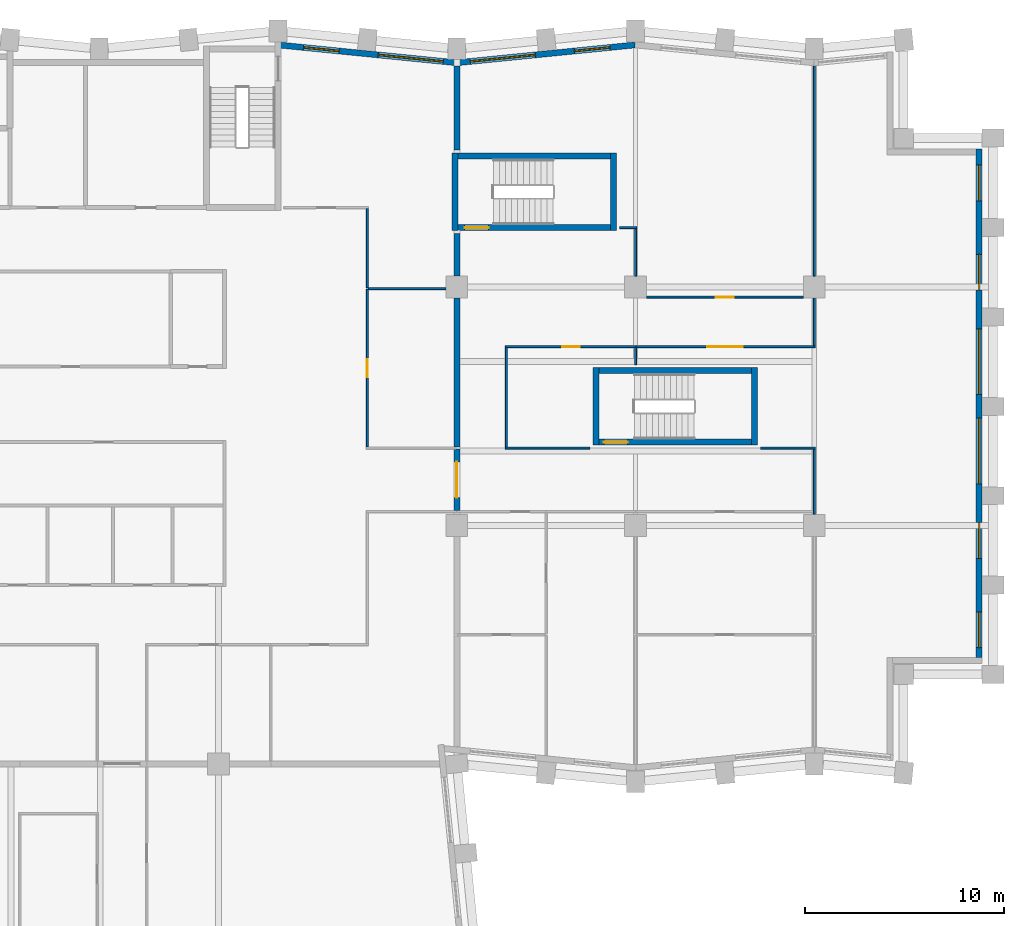
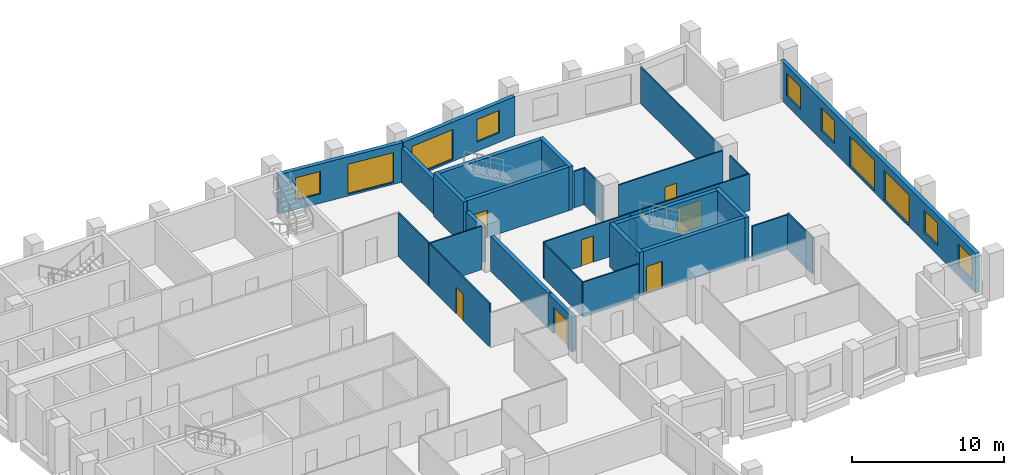
# One storey, part 7 of 10: 30 walls, 10 windows, 7 doors, 17 openings.
"""IFC4 building model written with IfcOpenShell, lengths in metres."""

from ifc_helpers import new_model, si_unit, direction, frame, frame_2d, origin, place, context, subcontext, project, spatial, rectangle, extrude, material, layer, layer_set, type_object, element, fill, save


model = new_model("IFC4")

# Units and contexts
model_context = context("Model", 3, precision=1e-05, world=origin(), true_north=direction((0.0, 1.0)))
body_context = subcontext(model_context, "Body", "Model", "MODEL_VIEW")
ifc_project = project(units=[si_unit("LENGTHUNIT", "METRE"), si_unit("AREAUNIT", "SQUARE_METRE"), si_unit("VOLUMEUNIT", "CUBIC_METRE"), si_unit("PLANEANGLEUNIT", "RADIAN"), si_unit("MASSUNIT", "GRAM", prefix="KILO")], contexts=[model_context])

# Site, building, storey
site_placement = place(None, origin())
site = spatial("IfcSite", under=ifc_project, at=site_placement, CompositionType="ELEMENT")
building_placement = place(site_placement, origin())
building = spatial("IfcBuilding", under=site, at=building_placement, Name="Brondeck Convention Tower", CompositionType="ELEMENT")
storey_placement = place(building_placement, frame((0.0, 0.0, 173.800048828125)))
storey = spatial("IfcBuildingStorey", under=building, at=storey_placement, Name="L42", CompositionType="ELEMENT", Elevation=173.800048828125)

# Wall, opening, door
ifc_material_1 = material(Name="Concrete compartment wall C30/37", Category="concrete")
ifc_layer_1 = layer(ifc_material_1, 0.300048828125)
ifc_layer_set_1 = layer_set([ifc_layer_1], Name="Compartment wall 300")
wall_type_1 = type_object("IfcWallType", Name="Compartment wall 300", PredefinedType="PARTITIONING", material=ifc_layer_set_1)
wall_1_placement = place(storey_placement, frame((36.0, 42.85009765625, 0.0), z_axis=(0.0, 0.0, 1.0), x_axis=(0.0, -1.0, 0.0)))
wall_1 = element("IfcWall", 1, at=wall_1_placement, inside=storey, type_object=wall_type_1, Name="FLR-L42-W052", PredefinedType="PARTITIONING", context=body_context, shape_type="SweptSolid", body=[
    extrude(rectangle(XDim=3.10009765625, YDim=0.300048828125, at=frame_2d((1.550048828125, 0.0))), origin(), (0.0, 0.0, 1.0), 2.780029296875),
])
opening_1_placement = place(wall_1_placement, frame((0.64990234375, 0.0, 0.0)))
opening_1 = element("IfcOpeningElement", 2, at=opening_1_placement, cuts=wall_1, Name="Opening OF-H-021", PredefinedType="OPENING", context=body_context, shape_type="SweptSolid", body=[
    extrude(rectangle(XDim=1.800048828125, YDim=2.10009765625, at=frame_2d((0.89990234375, 1.050048828125))), frame((0.0, 0.159912109375, 0.0), z_axis=(0.0, -1.0, 0.0), x_axis=(1.0, 0.0, 0.0)), (0.0, 0.0, 1.0), 0.320068359375),
])
ifc_material_2 = material(Name="Steel fire door pair", Category="steel")
door_type_1 = type_object("IfcDoorType", Name="Fire door pair 1800", OperationType="DOUBLE_DOOR_SINGLE_SWING", PredefinedType="DOOR", material=ifc_material_2)
door_1_placement = place(opening_1_placement, origin())
door_1 = element("IfcDoor", 3, at=door_1_placement, inside=storey, type_object=door_type_1, Name="Door OF-H-021", OperationType="DOUBLE_DOOR_SINGLE_SWING", OverallHeight=2.10009765625, OverallWidth=1.800048828125, PredefinedType="DOOR", context=body_context, shape_type="SweptSolid", body=[
    extrude(rectangle(XDim=1.800048828125, YDim=2.10009765625, at=frame_2d((0.89990234375, 1.050048828125))), frame((0.0, 0.02490234375, 0.0), z_axis=(0.0, -1.0, 0.0), x_axis=(1.0, 0.0, 0.0)), (0.0, 0.0, 1.0), 0.050048828125),
])
fill(opening_1, door_1)

# Walls
wall_2_placement = place(storey_placement, frame((36.0, 42.949951171875, 0.0), z_axis=(0.0, 0.0, 1.0), x_axis=(0.0, 1.0, 0.0)))
element("IfcWall", 4, at=wall_2_placement, inside=storey, type_object=wall_type_1, Name="FLR-L42-W057", PredefinedType="PARTITIONING", context=body_context, shape_type="SweptSolid", body=[
    extrude(rectangle(XDim=7.4951171875, YDim=0.300048828125, at=frame_2d((3.74755859375, 0.0))), origin(), (0.0, 0.0, 1.0), 2.780029296875),
])
wall_3_placement = place(storey_placement, frame((36.0, 51.554931640625, 0.0), z_axis=(0.0, 0.0, 1.0), x_axis=(0.0, 1.0, 0.0)))
element("IfcWall", 5, at=wall_3_placement, inside=storey, type_object=wall_type_1, Name="FLR-L42-W066", PredefinedType="PARTITIONING", context=body_context, shape_type="SweptSolid", body=[
    extrude(rectangle(XDim=2.14501953125, YDim=0.300048828125, at=frame_2d((1.072509765625, 0.0))), origin(), (0.0, 0.0, 1.0), 2.780029296875),
])
wall_4_placement = place(storey_placement, frame((36.0, 57.89990234375, 0.0), z_axis=(0.0, 0.0, 1.0), x_axis=(0.0, 1.0, 0.0)))
element("IfcWall", 6, at=wall_4_placement, inside=storey, type_object=wall_type_1, Name="FLR-L42-W072", PredefinedType="PARTITIONING", context=body_context, shape_type="SweptSolid", body=[
    extrude(rectangle(XDim=4.22607421875, YDim=0.300048828125, at=frame_2d((2.113037109375, 0.0))), origin(), (0.0, 0.0, 1.0), 2.780029296875),
])

# Wall, openings, windows
ifc_material_3 = material(Name="Precast concrete C50/60 bronze finish", Category="concrete")
ifc_layer_2 = layer(ifc_material_3, 0.070068359375, Name="Bronze precast facing")
ifc_material_4 = material(Name="Mineral wool")
ifc_layer_3 = layer(ifc_material_4, 0.159912109375, Name="Insulation")
ifc_material_5 = material(Name="Concrete C35/45", Category="concrete")
ifc_layer_4 = layer(ifc_material_5, 0.070068359375, Name="Backing")
ifc_layer_set_2 = layer_set([ifc_layer_2, ifc_layer_3, ifc_layer_4], Name="External infill wall, precast concrete C50/60 bronze facing")
wall_type_2 = type_object("IfcWallType", Name="External infill wall, precast concrete C50/60 bronze facing", PredefinedType="SOLIDWALL", material=ifc_layer_set_2)
wall_5_placement = place(storey_placement, frame((62.300048828125, 57.949951171875, 0.0), z_axis=(0.0, 0.0, 1.0), x_axis=(0.0, -1.0, 0.0)))
wall_5 = element("IfcWall", 7, at=wall_5_placement, inside=storey, type_object=wall_type_2, Name="ENV-EW-L42-P1-A-E63-01", PredefinedType="SOLIDWALL", context=body_context, shape_type="SweptSolid", body=[
    extrude(rectangle(XDim=25.60205078125, YDim=0.300048828125, at=frame_2d((12.801025390625, 0.0))), origin(), (0.0, 0.0, 1.0), 3.14990234375),
])
opening_2_placement = place(wall_5_placement, frame((0.800048828125, 0.0, 0.75)))
opening_2 = element("IfcOpeningElement", 8, at=opening_2_placement, cuts=wall_5, Name="Opening W10", PredefinedType="OPENING", context=body_context, shape_type="SweptSolid", body=[
    extrude(rectangle(XDim=1.800048828125, YDim=1.800048828125, at=frame_2d((0.89990234375, 0.89990234375))), frame((0.0, 0.159912109375, 0.0), z_axis=(0.0, -1.0, 0.0), x_axis=(1.0, 0.0, 0.0)), (0.0, 0.0, 1.0), 0.320068359375),
])
opening_3_placement = place(wall_5_placement, frame((5.300048828125, 0.0, 0.75)))
opening_3 = element("IfcOpeningElement", 9, at=opening_3_placement, cuts=wall_5, Name="Opening W10", PredefinedType="OPENING", context=body_context, shape_type="SweptSolid", body=[
    extrude(rectangle(XDim=1.800048828125, YDim=1.800048828125, at=frame_2d((0.89990234375, 0.89990234375))), frame((0.0, 0.159912109375, 0.0), z_axis=(0.0, -1.0, 0.0), x_axis=(1.0, 0.0, 0.0)), (0.0, 0.0, 1.0), 0.320068359375),
])
opening_4_placement = place(wall_5_placement, frame((9.050048828125, 0.0, 0.14990234375)))
opening_4 = element("IfcOpeningElement", 10, at=opening_4_placement, cuts=wall_5, Name="Opening W9", PredefinedType="OPENING", context=body_context, shape_type="SweptSolid", body=[
    extrude(rectangle(XDim=3.300048828125, YDim=2.39990234375, at=frame_2d((1.64990234375, 1.199951171875))), frame((0.0, 0.159912109375, 0.0), z_axis=(0.0, -1.0, 0.0), x_axis=(1.0, 0.0, 0.0)), (0.0, 0.0, 1.0), 0.320068359375),
])
opening_5_placement = place(wall_5_placement, frame((13.550048828125, 0.0, 0.14990234375)))
opening_5 = element("IfcOpeningElement", 11, at=opening_5_placement, cuts=wall_5, Name="Opening W9", PredefinedType="OPENING", context=body_context, shape_type="SweptSolid", body=[
    extrude(rectangle(XDim=3.300048828125, YDim=2.39990234375, at=frame_2d((1.64990234375, 1.199951171875))), frame((0.0, 0.159912109375, 0.0), z_axis=(0.0, -1.0, 0.0), x_axis=(1.0, 0.0, 0.0)), (0.0, 0.0, 1.0), 0.320068359375),
])
opening_6_placement = place(wall_5_placement, frame((18.800048828125, 0.0, 0.75)))
opening_6 = element("IfcOpeningElement", 12, at=opening_6_placement, cuts=wall_5, Name="Opening W10", PredefinedType="OPENING", context=body_context, shape_type="SweptSolid", body=[
    extrude(rectangle(XDim=1.800048828125, YDim=1.800048828125, at=frame_2d((0.89990234375, 0.89990234375))), frame((0.0, 0.159912109375, 0.0), z_axis=(0.0, -1.0, 0.0), x_axis=(1.0, 0.0, 0.0)), (0.0, 0.0, 1.0), 0.320068359375),
])
opening_7_placement = place(wall_5_placement, frame((23.300048828125, 0.0, 0.75)))
opening_7 = element("IfcOpeningElement", 13, at=opening_7_placement, cuts=wall_5, Name="Opening W10", PredefinedType="OPENING", context=body_context, shape_type="SweptSolid", body=[
    extrude(rectangle(XDim=1.800048828125, YDim=1.800048828125, at=frame_2d((0.89990234375, 0.89990234375))), frame((0.0, 0.159912109375, 0.0), z_axis=(0.0, -1.0, 0.0), x_axis=(1.0, 0.0, 0.0)), (0.0, 0.0, 1.0), 0.320068359375),
])
ifc_material_6 = material(Name="Bronze tinted double glazing", Category="glass")
window_type_1 = type_object("IfcWindowType", Name="Glazed flute window, bronze tinted", PartitioningType="SINGLE_PANEL", PredefinedType="WINDOW", material=ifc_material_6)
window_1_placement = place(opening_4_placement, origin())
window_1 = element("IfcWindow", 14, at=window_1_placement, inside=storey, type_object=window_type_1, Name="ENV-WN-L42-P1-A-E63-04", OverallHeight=2.39990234375, OverallWidth=3.300048828125, PartitioningType="SINGLE_PANEL", PredefinedType="WINDOW", context=body_context, shape_type="SweptSolid", body=[
    extrude(rectangle(XDim=3.300048828125, YDim=2.39990234375, at=frame_2d((1.64990234375, 1.199951171875))), frame((0.0, 0.030029296875, 0.0), z_axis=(0.0, -1.0, 0.0), x_axis=(1.0, 0.0, 0.0)), (0.0, 0.0, 1.0), 0.06005859375),
])
fill(opening_4, window_1)
window_2_placement = place(opening_5_placement, origin())
window_2 = element("IfcWindow", 15, at=window_2_placement, inside=storey, type_object=window_type_1, Name="ENV-WN-L42-P1-A-E63-03", OverallHeight=2.39990234375, OverallWidth=3.300048828125, PartitioningType="SINGLE_PANEL", PredefinedType="WINDOW", context=body_context, shape_type="SweptSolid", body=[
    extrude(rectangle(XDim=3.300048828125, YDim=2.39990234375, at=frame_2d((1.64990234375, 1.199951171875))), frame((0.0, 0.030029296875, 0.0), z_axis=(0.0, -1.0, 0.0), x_axis=(1.0, 0.0, 0.0)), (0.0, 0.0, 1.0), 0.06005859375),
])
fill(opening_5, window_2)
window_type_2 = type_object("IfcWindowType", Name="Punched window, bronze tinted", PartitioningType="SINGLE_PANEL", PredefinedType="WINDOW", material=ifc_material_6)
window_3_placement = place(opening_2_placement, origin())
window_3 = element("IfcWindow", 16, at=window_3_placement, inside=storey, type_object=window_type_2, Name="ENV-WN-L42-P1-A-E63-06", OverallHeight=1.800048828125, OverallWidth=1.800048828125, PartitioningType="SINGLE_PANEL", PredefinedType="WINDOW", context=body_context, shape_type="SweptSolid", body=[
    extrude(rectangle(XDim=1.800048828125, YDim=1.800048828125, at=frame_2d((0.89990234375, 0.89990234375))), frame((0.0, 0.030029296875, 0.0), z_axis=(0.0, -1.0, 0.0), x_axis=(1.0, 0.0, 0.0)), (0.0, 0.0, 1.0), 0.06005859375),
])
fill(opening_2, window_3)
window_4_placement = place(opening_3_placement, origin())
window_4 = element("IfcWindow", 17, at=window_4_placement, inside=storey, type_object=window_type_2, Name="ENV-WN-L42-P1-A-E63-05", OverallHeight=1.800048828125, OverallWidth=1.800048828125, PartitioningType="SINGLE_PANEL", PredefinedType="WINDOW", context=body_context, shape_type="SweptSolid", body=[
    extrude(rectangle(XDim=1.800048828125, YDim=1.800048828125, at=frame_2d((0.89990234375, 0.89990234375))), frame((0.0, 0.030029296875, 0.0), z_axis=(0.0, -1.0, 0.0), x_axis=(1.0, 0.0, 0.0)), (0.0, 0.0, 1.0), 0.06005859375),
])
fill(opening_3, window_4)
window_5_placement = place(opening_6_placement, origin())
window_5 = element("IfcWindow", 18, at=window_5_placement, inside=storey, type_object=window_type_2, Name="ENV-WN-L42-P1-A-E63-02", OverallHeight=1.800048828125, OverallWidth=1.800048828125, PartitioningType="SINGLE_PANEL", PredefinedType="WINDOW", context=body_context, shape_type="SweptSolid", body=[
    extrude(rectangle(XDim=1.800048828125, YDim=1.800048828125, at=frame_2d((0.89990234375, 0.89990234375))), frame((0.0, 0.030029296875, 0.0), z_axis=(0.0, -1.0, 0.0), x_axis=(1.0, 0.0, 0.0)), (0.0, 0.0, 1.0), 0.06005859375),
])
fill(opening_6, window_5)
window_6_placement = place(opening_7_placement, origin())
window_6 = element("IfcWindow", 19, at=window_6_placement, inside=storey, type_object=window_type_2, Name="ENV-WN-L42-P1-A-E63-01", OverallHeight=1.800048828125, OverallWidth=1.800048828125, PartitioningType="SINGLE_PANEL", PredefinedType="WINDOW", context=body_context, shape_type="SweptSolid", body=[
    extrude(rectangle(XDim=1.800048828125, YDim=1.800048828125, at=frame_2d((0.89990234375, 0.89990234375))), frame((0.0, 0.030029296875, 0.0), z_axis=(0.0, -1.0, 0.0), x_axis=(1.0, 0.0, 0.0)), (0.0, 0.0, 1.0), 0.06005859375),
])
fill(opening_7, window_6)

wall_6_placement = place(storey_placement, frame((35.985107421875, 62.294921875, 0.0), z_axis=(0.0, 0.0, 1.0), x_axis=(0.995035316196, 0.099522457379, 0.0)))
wall_6 = element("IfcWall", 20, at=wall_6_placement, inside=storey, type_object=wall_type_2, Name="ENV-EW-L42-P1-A-N-09", PredefinedType="SOLIDWALL", context=body_context, shape_type="SweptSolid", body=[
    extrude(rectangle(XDim=9.030029296875, YDim=0.300048828125, at=frame_2d((4.51513671875, 0.0))), origin(), (0.0, 0.0, 1.0), 3.14990234375),
])
opening_8_placement = place(wall_6_placement, frame((0.6962890625, 0.0, 0.14990234375)))
opening_8 = element("IfcOpeningElement", 21, at=opening_8_placement, cuts=wall_6, Name="Opening W9", PredefinedType="OPENING", context=body_context, shape_type="SweptSolid", body=[
    extrude(rectangle(XDim=3.300048828125, YDim=2.39990234375, at=frame_2d((1.64990234375, 1.199951171875))), frame((0.0, 0.159912109375, 0.0), z_axis=(0.0, -1.0, 0.0), x_axis=(1.0, 0.0, 0.0)), (0.0, 0.0, 1.0), 0.320068359375),
])
opening_9_placement = place(wall_6_placement, frame((5.968505859375, 0.0, 0.75)))
opening_9 = element("IfcOpeningElement", 22, at=opening_9_placement, cuts=wall_6, Name="Opening W10", PredefinedType="OPENING", context=body_context, shape_type="SweptSolid", body=[
    extrude(rectangle(XDim=1.800048828125, YDim=1.800048828125, at=frame_2d((0.89990234375, 0.89990234375))), frame((0.0, 0.159912109375, 0.0), z_axis=(0.0, -1.0, 0.0), x_axis=(1.0, 0.0, 0.0)), (0.0, 0.0, 1.0), 0.320068359375),
])
window_7_placement = place(opening_8_placement, origin())
window_7 = element("IfcWindow", 23, at=window_7_placement, inside=storey, type_object=window_type_1, Name="ENV-WN-L42-P1-A-N-08", OverallHeight=2.39990234375, OverallWidth=3.300048828125, PartitioningType="SINGLE_PANEL", PredefinedType="WINDOW", context=body_context, shape_type="SweptSolid", body=[
    extrude(rectangle(XDim=3.300048828125, YDim=2.39990234375, at=frame_2d((1.64990234375, 1.199951171875))), frame((0.0, 0.030029296875, 0.0), z_axis=(0.0, -1.0, 0.0), x_axis=(1.0, 0.0, 0.0)), (0.0, 0.0, 1.0), 0.06005859375),
])
fill(opening_8, window_7)
window_8_placement = place(opening_9_placement, origin())
window_8 = element("IfcWindow", 24, at=window_8_placement, inside=storey, type_object=window_type_2, Name="ENV-WN-L42-P1-A-N-09", OverallHeight=1.800048828125, OverallWidth=1.800048828125, PartitioningType="SINGLE_PANEL", PredefinedType="WINDOW", context=body_context, shape_type="SweptSolid", body=[
    extrude(rectangle(XDim=1.800048828125, YDim=1.800048828125, at=frame_2d((0.89990234375, 0.89990234375))), frame((0.0, 0.030029296875, 0.0), z_axis=(0.0, -1.0, 0.0), x_axis=(1.0, 0.0, 0.0)), (0.0, 0.0, 1.0), 0.06005859375),
])
fill(opening_9, window_8)

wall_7_placement = place(storey_placement, frame((27.07958984375, 63.188720703125, 0.0), z_axis=(0.0, 0.0, 1.0), x_axis=(0.995036108007, -0.099514540459, 0.0)))
wall_7 = element("IfcWall", 25, at=wall_7_placement, inside=storey, type_object=wall_type_2, Name="ENV-EW-L42-P1-A-N-07", PredefinedType="SOLIDWALL", context=body_context, shape_type="SweptSolid", body=[
    extrude(rectangle(XDim=8.93505859375, YDim=0.300048828125, at=frame_2d((4.467529296875, 0.0))), origin(), (0.0, 0.0, 1.0), 3.14990234375),
])
opening_10_placement = place(wall_7_placement, frame((1.211181640625, 0.0, 0.75)))
opening_10 = element("IfcOpeningElement", 26, at=opening_10_placement, cuts=wall_7, Name="Opening W10", PredefinedType="OPENING", context=body_context, shape_type="SweptSolid", body=[
    extrude(rectangle(XDim=1.800048828125, YDim=1.800048828125, at=frame_2d((0.89990234375, 0.89990234375))), frame((0.0, 0.159912109375, 0.0), z_axis=(0.0, -1.0, 0.0), x_axis=(1.0, 0.0, 0.0)), (0.0, 0.0, 1.0), 0.320068359375),
])
opening_11_placement = place(wall_7_placement, frame((4.983642578125, 0.0, 0.14990234375)))
opening_11 = element("IfcOpeningElement", 27, at=opening_11_placement, cuts=wall_7, Name="Opening W9", PredefinedType="OPENING", context=body_context, shape_type="SweptSolid", body=[
    extrude(rectangle(XDim=3.300048828125, YDim=2.39990234375, at=frame_2d((1.64990234375, 1.199951171875))), frame((0.0, 0.159912109375, 0.0), z_axis=(0.0, -1.0, 0.0), x_axis=(1.0, 0.0, 0.0)), (0.0, 0.0, 1.0), 0.320068359375),
])
window_9_placement = place(opening_11_placement, origin())
window_9 = element("IfcWindow", 28, at=window_9_placement, inside=storey, type_object=window_type_1, Name="ENV-WN-L42-P1-A-N-07", OverallHeight=2.39990234375, OverallWidth=3.300048828125, PartitioningType="SINGLE_PANEL", PredefinedType="WINDOW", context=body_context, shape_type="SweptSolid", body=[
    extrude(rectangle(XDim=3.300048828125, YDim=2.39990234375, at=frame_2d((1.64990234375, 1.199951171875))), frame((0.0, 0.030029296875, 0.0), z_axis=(0.0, -1.0, 0.0), x_axis=(1.0, 0.0, 0.0)), (0.0, 0.0, 1.0), 0.06005859375),
])
fill(opening_11, window_9)
window_10_placement = place(opening_10_placement, origin())
window_10 = element("IfcWindow", 29, at=window_10_placement, inside=storey, type_object=window_type_2, Name="ENV-WN-L42-P1-A-N-06", OverallHeight=1.800048828125, OverallWidth=1.800048828125, PartitioningType="SINGLE_PANEL", PredefinedType="WINDOW", context=body_context, shape_type="SweptSolid", body=[
    extrude(rectangle(XDim=1.800048828125, YDim=1.800048828125, at=frame_2d((0.89990234375, 0.89990234375))), frame((0.0, 0.030029296875, 0.0), z_axis=(0.0, -1.0, 0.0), x_axis=(1.0, 0.0, 0.0)), (0.0, 0.0, 1.0), 0.06005859375),
])
fill(opening_10, window_10)

# Walls
ifc_material_7 = material(Name="Gypsum board partition on steel studs", Category="steel")
ifc_layer_5 = layer(ifc_material_7, 0.10009765625)
ifc_layer_set_3 = layer_set([ifc_layer_5], Name="Room partition 100")
wall_type_3 = type_object("IfcWallType", Name="Room partition 100", PredefinedType="PARTITIONING", material=ifc_layer_set_3)
wall_8_placement = place(storey_placement, frame((54.0, 42.85009765625, 0.0), z_axis=(0.0, 0.0, 1.0), x_axis=(0.0, -1.0, 0.0)))
element("IfcWall", 30, at=wall_8_placement, inside=storey, type_object=wall_type_3, Name="FLR-L42-W053", PredefinedType="PARTITIONING", context=body_context, shape_type="SweptSolid", body=[
    extrude(rectangle(XDim=3.280029296875, YDim=0.10009765625, at=frame_2d((1.64013671875, 0.0))), origin(), (0.0, 0.0, 1.0), 2.929931640625),
])
wall_9_placement = place(storey_placement, frame((38.449951171875, 42.89990234375, 0.0), z_axis=(0.0, 0.0, 1.0), x_axis=(1.0, 0.0, 0.0)))
element("IfcWall", 31, at=wall_9_placement, inside=storey, type_object=wall_type_3, Name="FLR-L42-W055", PredefinedType="PARTITIONING", context=body_context, shape_type="SweptSolid", body=[
    extrude(rectangle(XDim=4.25, YDim=0.10009765625, at=frame_2d((2.125, 0.0))), origin(), (0.0, 0.0, 1.0), 2.780029296875),
])
wall_10_placement = place(storey_placement, frame((51.300048828125, 42.89990234375, 0.0), z_axis=(0.0, 0.0, 1.0), x_axis=(1.0, 0.0, 0.0)))
element("IfcWall", 32, at=wall_10_placement, inside=storey, type_object=wall_type_3, Name="FLR-L42-W056", PredefinedType="PARTITIONING", context=body_context, shape_type="SweptSolid", body=[
    extrude(rectangle(XDim=2.75, YDim=0.10009765625, at=frame_2d((1.375, 0.0))), origin(), (0.0, 0.0, 1.0), 2.780029296875),
])
wall_11_placement = place(storey_placement, frame((38.5, 47.949951171875, 0.0), z_axis=(0.0, 0.0, 1.0), x_axis=(0.0, -1.0, 0.0)))
element("IfcWall", 33, at=wall_11_placement, inside=storey, type_object=wall_type_3, Name="FLR-L42-W058", PredefinedType="PARTITIONING", context=body_context, shape_type="SweptSolid", body=[
    extrude(rectangle(XDim=5.0, YDim=0.10009765625, at=frame_2d((2.5, 0.0))), origin(), (0.0, 0.0, 1.0), 2.780029296875),
])
wall_12_placement = place(storey_placement, frame((45.0, 47.949951171875, 0.0), z_axis=(0.0, 0.0, 1.0), x_axis=(0.0, -1.0, 0.0)))
element("IfcWall", 34, at=wall_12_placement, inside=storey, type_object=wall_type_3, Name="FLR-L42-W059", PredefinedType="PARTITIONING", context=body_context, shape_type="SweptSolid", body=[
    extrude(rectangle(XDim=0.849853515625, YDim=0.10009765625, at=frame_2d((0.4248046875, 0.0))), origin(), (0.0, 0.0, 1.0), 2.780029296875),
])

# Wall, opening, door
wall_13_placement = place(storey_placement, frame((45.0, 48.0, 0.0), z_axis=(0.0, 0.0, 1.0), x_axis=(-1.0, 0.0, 0.0)))
wall_13 = element("IfcWall", 35, at=wall_13_placement, inside=storey, type_object=wall_type_3, Name="FLR-L42-W060", PredefinedType="PARTITIONING", context=body_context, shape_type="SweptSolid", body=[
    extrude(rectangle(XDim=6.550048828125, YDim=0.10009765625, at=frame_2d((3.27490234375, 0.0))), origin(), (0.0, 0.0, 1.0), 2.929931640625),
])
opening_12_placement = place(wall_13_placement, frame((2.800048828125, 0.0, 0.0)))
opening_12 = element("IfcOpeningElement", 36, at=opening_12_placement, cuts=wall_13, Name="Opening OF-H-002", PredefinedType="OPENING", context=body_context, shape_type="SweptSolid", body=[
    extrude(rectangle(XDim=0.89990234375, YDim=2.10009765625, at=frame_2d((0.449951171875, 1.050048828125))), frame((0.0, 0.06005859375, 0.0), z_axis=(0.0, -1.0, 0.0), x_axis=(1.0, 0.0, 0.0)), (0.0, 0.0, 1.0), 0.1201171875),
])
ifc_material_8 = material(Name="Solid timber door leaf", Category="wood")
door_type_2 = type_object("IfcDoorType", Name="Single door 900", OperationType="NOTDEFINED", PredefinedType="DOOR", material=ifc_material_8)
door_2_placement = place(opening_12_placement, origin())
door_2 = element("IfcDoor", 37, at=door_2_placement, inside=storey, type_object=door_type_2, Name="Door OF-H-002", OperationType="SINGLE_SWING_RIGHT", OverallHeight=2.10009765625, OverallWidth=0.89990234375, PredefinedType="DOOR", context=body_context, shape_type="SweptSolid", body=[
    extrude(rectangle(XDim=0.89990234375, YDim=2.10009765625, at=frame_2d((0.449951171875, 1.050048828125))), frame((0.0, 0.02490234375, 0.0), z_axis=(0.0, -1.0, 0.0), x_axis=(1.0, 0.0, 0.0)), (0.0, 0.0, 1.0), 0.050048828125),
])
fill(opening_12, door_2)

wall_14_placement = place(storey_placement, frame((54.050048828125, 48.0, 0.0), z_axis=(0.0, 0.0, 1.0), x_axis=(-1.0, 0.0, 0.0)))
wall_14 = element("IfcWall", 38, at=wall_14_placement, inside=storey, type_object=wall_type_3, Name="FLR-L42-W061", PredefinedType="PARTITIONING", context=body_context, shape_type="SweptSolid", body=[
    extrude(rectangle(XDim=9.050048828125, YDim=0.10009765625, at=frame_2d((4.52490234375, 0.0))), origin(), (0.0, 0.0, 1.0), 2.929931640625),
])
opening_13_placement = place(wall_14_placement, frame((3.64990234375, 0.0, 0.0)))
opening_13 = element("IfcOpeningElement", 39, at=opening_13_placement, cuts=wall_14, Name="Opening OF-H-005", PredefinedType="OPENING", context=body_context, shape_type="SweptSolid", body=[
    extrude(rectangle(XDim=1.800048828125, YDim=2.10009765625, at=frame_2d((0.89990234375, 1.050048828125))), frame((0.0, 0.06005859375, 0.0), z_axis=(0.0, -1.0, 0.0), x_axis=(1.0, 0.0, 0.0)), (0.0, 0.0, 1.0), 0.1201171875),
])
ifc_material_9 = material(Name="Glazed timber double door", Category="wood")
door_type_3 = type_object("IfcDoorType", Name="Double door 1800", OperationType="DOUBLE_DOOR_SINGLE_SWING", PredefinedType="DOOR", material=ifc_material_9)
door_3_placement = place(opening_13_placement, origin())
door_3 = element("IfcDoor", 40, at=door_3_placement, inside=storey, type_object=door_type_3, Name="Door OF-H-005", OperationType="DOUBLE_DOOR_SINGLE_SWING", OverallHeight=2.10009765625, OverallWidth=1.800048828125, PredefinedType="DOOR", context=body_context, shape_type="SweptSolid", body=[
    extrude(rectangle(XDim=1.800048828125, YDim=2.10009765625, at=frame_2d((0.89990234375, 1.050048828125))), frame((0.0, 0.02490234375, 0.0), z_axis=(0.0, -1.0, 0.0), x_axis=(1.0, 0.0, 0.0)), (0.0, 0.0, 1.0), 0.050048828125),
])
fill(opening_13, door_3)

# Wall
wall_15_placement = place(storey_placement, frame((54.0, 50.445068359375, 0.0), z_axis=(0.0, 0.0, 1.0), x_axis=(0.0, -1.0, 0.0)))
element("IfcWall", 41, at=wall_15_placement, inside=storey, type_object=wall_type_3, Name="FLR-L42-W062", PredefinedType="PARTITIONING", context=body_context, shape_type="SweptSolid", body=[
    extrude(rectangle(XDim=2.39501953125, YDim=0.10009765625, at=frame_2d((1.197509765625, 0.0))), origin(), (0.0, 0.0, 1.0), 2.929931640625),
])

# Wall, opening, door
wall_16_placement = place(storey_placement, frame((45.554931640625, 50.5, 0.0), z_axis=(0.0, 0.0, 1.0), x_axis=(1.0, 0.0, 0.0)))
wall_16 = element("IfcWall", 42, at=wall_16_placement, inside=storey, type_object=wall_type_3, Name="FLR-L42-W063", PredefinedType="PARTITIONING", context=body_context, shape_type="SweptSolid", body=[
    extrude(rectangle(XDim=7.89013671875, YDim=0.10009765625, at=frame_2d((3.945068359375, 0.0))), origin(), (0.0, 0.0, 1.0), 3.47998046875),
])
opening_14_placement = place(wall_16_placement, frame((3.4951171875, 0.0, 0.0)))
opening_14 = element("IfcOpeningElement", 43, at=opening_14_placement, cuts=wall_16, Name="Opening OF-H-011", PredefinedType="OPENING", context=body_context, shape_type="SweptSolid", body=[
    extrude(rectangle(XDim=0.89990234375, YDim=2.10009765625, at=frame_2d((0.449951171875, 1.050048828125))), frame((0.0, 0.06005859375, 0.0), z_axis=(0.0, -1.0, 0.0), x_axis=(1.0, 0.0, 0.0)), (0.0, 0.0, 1.0), 0.1201171875),
])
door_4_placement = place(opening_14_placement, origin())
door_4 = element("IfcDoor", 44, at=door_4_placement, inside=storey, type_object=door_type_2, Name="Door OF-H-011", OperationType="SINGLE_SWING_LEFT", OverallHeight=2.10009765625, OverallWidth=0.89990234375, PredefinedType="DOOR", context=body_context, shape_type="SweptSolid", body=[
    extrude(rectangle(XDim=0.89990234375, YDim=2.10009765625, at=frame_2d((0.449951171875, 1.050048828125))), frame((0.0, 0.02490234375, 0.0), z_axis=(0.0, -1.0, 0.0), x_axis=(1.0, 0.0, 0.0)), (0.0, 0.0, 1.0), 0.050048828125),
])
fill(opening_14, door_4)

wall_17_placement = place(storey_placement, frame((31.5, 50.882080078125, 0.0), z_axis=(0.0, 0.0, 1.0), x_axis=(0.0, -1.0, 0.0)))
wall_17 = element("IfcWall", 45, at=wall_17_placement, inside=storey, type_object=wall_type_3, Name="FLR-L42-W064", PredefinedType="PARTITIONING", context=body_context, shape_type="SweptSolid", body=[
    extrude(rectangle(XDim=7.93212890625, YDim=0.10009765625, at=frame_2d((3.966064453125, 0.0))), origin(), (0.0, 0.0, 1.0), 3.47998046875),
])
opening_15_placement = place(wall_17_placement, frame((3.51611328125, 0.0, 0.0)))
opening_15 = element("IfcOpeningElement", 46, at=opening_15_placement, cuts=wall_17, Name="Opening OF-H-019", PredefinedType="OPENING", context=body_context, shape_type="SweptSolid", body=[
    extrude(rectangle(XDim=0.89990234375, YDim=2.10009765625, at=frame_2d((0.449951171875, 1.050048828125))), frame((0.0, 0.06005859375, 0.0), z_axis=(0.0, -1.0, 0.0), x_axis=(1.0, 0.0, 0.0)), (0.0, 0.0, 1.0), 0.1201171875),
])
door_5_placement = place(opening_15_placement, origin())
door_5 = element("IfcDoor", 47, at=door_5_placement, inside=storey, type_object=door_type_2, Name="Door OF-H-019", OperationType="SINGLE_SWING_LEFT", OverallHeight=2.10009765625, OverallWidth=0.89990234375, PredefinedType="DOOR", context=body_context, shape_type="SweptSolid", body=[
    extrude(rectangle(XDim=0.89990234375, YDim=2.10009765625, at=frame_2d((0.449951171875, 1.050048828125))), frame((0.0, 0.02490234375, 0.0), z_axis=(0.0, -1.0, 0.0), x_axis=(1.0, 0.0, 0.0)), (0.0, 0.0, 1.0), 0.050048828125),
])
fill(opening_15, door_5)

# Walls
wall_18_placement = place(storey_placement, frame((31.550048828125, 50.931884765625, 0.0), z_axis=(0.0, 0.0, 1.0), x_axis=(1.0, 0.0, 0.0)))
element("IfcWall", 48, at=wall_18_placement, inside=storey, type_object=wall_type_3, Name="FLR-L42-W065", PredefinedType="PARTITIONING", context=body_context, shape_type="SweptSolid", body=[
    extrude(rectangle(XDim=3.89501953125, YDim=0.10009765625, at=frame_2d((1.947509765625, 0.0))), origin(), (0.0, 0.0, 1.0), 3.47998046875),
])
wall_19_placement = place(storey_placement, frame((54.0, 51.554931640625, 0.0), z_axis=(0.0, 0.0, 1.0), x_axis=(0.0, 1.0, 0.0)))
element("IfcWall", 49, at=wall_19_placement, inside=storey, type_object=wall_type_3, Name="FLR-L42-W067", PredefinedType="PARTITIONING", context=body_context, shape_type="SweptSolid", body=[
    extrude(rectangle(XDim=10.57080078125, YDim=0.10009765625, at=frame_2d((5.285400390625, 0.0))), origin(), (0.0, 0.0, 1.0), 2.929931640625),
])
wall_20_placement = place(storey_placement, frame((45.0, 53.949951171875, 0.0), z_axis=(0.0, 0.0, 1.0), x_axis=(0.0, -1.0, 0.0)))
element("IfcWall", 50, at=wall_20_placement, inside=storey, type_object=wall_type_3, Name="FLR-L42-W068", PredefinedType="PARTITIONING", context=body_context, shape_type="SweptSolid", body=[
    extrude(rectangle(XDim=2.39501953125, YDim=0.10009765625, at=frame_2d((1.197509765625, 0.0))), origin(), (0.0, 0.0, 1.0), 2.929931640625),
])
wall_21_placement = place(storey_placement, frame((44.199951171875, 54.0, 0.0), z_axis=(0.0, 0.0, 1.0), x_axis=(1.0, 0.0, 0.0)))
element("IfcWall", 51, at=wall_21_placement, inside=storey, type_object=wall_type_3, Name="FLR-L42-W069", PredefinedType="PARTITIONING", context=body_context, shape_type="SweptSolid", body=[
    extrude(rectangle(XDim=0.85009765625, YDim=0.10009765625, at=frame_2d((0.425048828125, 0.0))), origin(), (0.0, 0.0, 1.0), 2.929931640625),
])
wall_22_placement = place(storey_placement, frame((31.5, 54.949951171875, 0.0), z_axis=(0.0, 0.0, 1.0), x_axis=(0.0, -1.0, 0.0)))
element("IfcWall", 52, at=wall_22_placement, inside=storey, type_object=wall_type_3, Name="FLR-L42-W070", PredefinedType="PARTITIONING", context=body_context, shape_type="SweptSolid", body=[
    extrude(rectangle(XDim=3.968017578125, YDim=0.10009765625, at=frame_2d((1.98388671875, 0.0))), origin(), (0.0, 0.0, 1.0), 3.47998046875),
])

# Wall, opening, door
ifc_material_10 = material(Name="Concrete C70/85", Category="concrete")
ifc_layer_6 = layer(ifc_material_10, 0.300048828125)
ifc_layer_set_4 = layer_set([ifc_layer_6], Name="Stair enclosure wall 300 Concrete C70/85")
wall_type_4 = type_object("IfcWallType", Name="Stair enclosure wall 300 Concrete C70/85", PredefinedType="SHEAR", material=ifc_layer_set_4)
wall_23_placement = place(storey_placement, frame((43.14990234375, 43.199951171875, 0.0), z_axis=(0.0, 0.0, 1.0), x_axis=(1.0, 0.0, 0.0)))
wall_23 = element("IfcWall", 53, at=wall_23_placement, inside=storey, type_object=wall_type_4, Name="L42 core wall", PredefinedType="SHEAR", context=body_context, shape_type="SweptSolid", body=[
    extrude(rectangle(XDim=7.7001953125, YDim=0.300048828125, at=frame_2d((3.85009765625, 0.0))), origin(), (0.0, 0.0, 1.0), 3.5),
])
opening_16_placement = place(wall_23_placement, frame((0.25, 0.0, 0.0)))
opening_16 = element("IfcOpeningElement", 54, at=opening_16_placement, cuts=wall_23, Name="Opening C23-18", PredefinedType="OPENING", context=body_context, shape_type="SweptSolid", body=[
    extrude(rectangle(XDim=1.199951171875, YDim=2.199951171875, at=frame_2d((0.60009765625, 1.10009765625))), frame((0.0, 0.159912109375, 0.0), z_axis=(0.0, -1.0, 0.0), x_axis=(1.0, 0.0, 0.0)), (0.0, 0.0, 1.0), 0.320068359375),
])
ifc_material_11 = material(Name="Steel fire door", Category="steel")
door_type_4 = type_object("IfcDoorType", Name="Stair door 1200x2200 EI 90", OperationType="NOTDEFINED", PredefinedType="DOOR", material=ifc_material_11)
door_6_placement = place(opening_16_placement, origin())
door_6 = element("IfcDoor", 55, at=door_6_placement, inside=storey, type_object=door_type_4, Name="L42 Stair door ST-AF", OperationType="SINGLE_SWING_RIGHT", OverallHeight=2.199951171875, OverallWidth=1.199951171875, PredefinedType="DOOR", context=body_context, shape_type="SweptSolid", body=[
    extrude(rectangle(XDim=1.199951171875, YDim=2.199951171875, at=frame_2d((0.60009765625, 1.10009765625))), frame((0.0, 0.02490234375, 0.0), z_axis=(0.0, -1.0, 0.0), x_axis=(1.0, 0.0, 0.0)), (0.0, 0.0, 1.0), 0.050048828125),
])
fill(opening_16, door_6)

# Wall
wall_24_placement = place(storey_placement, frame((43.14990234375, 46.800048828125, 0.0), z_axis=(0.0, 0.0, 1.0), x_axis=(1.0, 0.0, 0.0)))
element("IfcWall", 56, at=wall_24_placement, inside=storey, type_object=wall_type_4, Name="L42 core wall", PredefinedType="SHEAR", context=body_context, shape_type="SweptSolid", body=[
    extrude(rectangle(XDim=7.7001953125, YDim=0.300048828125, at=frame_2d((3.85009765625, 0.0))), origin(), (0.0, 0.0, 1.0), 3.5),
])

# Wall, opening, door
wall_25_placement = place(storey_placement, frame((36.050048828125, 54.0, 0.0), z_axis=(0.0, 0.0, 1.0), x_axis=(1.0, 0.0, 0.0)))
wall_25 = element("IfcWall", 57, at=wall_25_placement, inside=storey, type_object=wall_type_4, Name="L42 core wall", PredefinedType="SHEAR", context=body_context, shape_type="SweptSolid", body=[
    extrude(rectangle(XDim=7.699951171875, YDim=0.300048828125, at=frame_2d((3.85009765625, 0.0))), origin(), (0.0, 0.0, 1.0), 3.5),
])
opening_17_placement = place(wall_25_placement, frame((0.35009765625, 0.0, 0.0)))
opening_17 = element("IfcOpeningElement", 58, at=opening_17_placement, cuts=wall_25, Name="Opening C23-17", PredefinedType="OPENING", context=body_context, shape_type="SweptSolid", body=[
    extrude(rectangle(XDim=1.199951171875, YDim=2.199951171875, at=frame_2d((0.60009765625, 1.10009765625))), frame((0.0, 0.159912109375, 0.0), z_axis=(0.0, -1.0, 0.0), x_axis=(1.0, 0.0, 0.0)), (0.0, 0.0, 1.0), 0.320068359375),
])
door_7_placement = place(opening_17_placement, origin())
door_7 = element("IfcDoor", 59, at=door_7_placement, inside=storey, type_object=door_type_4, Name="L42 Stair door ST-AE", OperationType="SINGLE_SWING_LEFT", OverallHeight=2.199951171875, OverallWidth=1.199951171875, PredefinedType="DOOR", context=body_context, shape_type="SweptSolid", body=[
    extrude(rectangle(XDim=1.199951171875, YDim=2.199951171875, at=frame_2d((0.60009765625, 1.10009765625))), frame((0.0, 0.02490234375, 0.0), z_axis=(0.0, -1.0, 0.0), x_axis=(1.0, 0.0, 0.0)), (0.0, 0.0, 1.0), 0.050048828125),
])
fill(opening_17, door_7)

# Walls
wall_26_placement = place(storey_placement, frame((36.050048828125, 57.60009765625, 0.0), z_axis=(0.0, 0.0, 1.0), x_axis=(1.0, 0.0, 0.0)))
element("IfcWall", 60, at=wall_26_placement, inside=storey, type_object=wall_type_4, Name="L42 core wall", PredefinedType="SHEAR", context=body_context, shape_type="SweptSolid", body=[
    extrude(rectangle(XDim=7.699951171875, YDim=0.300048828125, at=frame_2d((3.85009765625, 0.0))), origin(), (0.0, 0.0, 1.0), 3.5),
])
for number, where, z_axis, x_axis, name in (
    (61, (35.89990234375, 53.85009765625, 0.0), (0.0, 0.0, 1.0), (0.0, 1.0, 0.0), "L42 core wall"),
    (62, (43.0, 43.050048828125, 0.0), (0.0, 0.0, 1.0), (0.0, 1.0, 0.0), "L42 core wall"),
    (63, (43.89990234375, 53.85009765625, 0.0), (0.0, 0.0, 1.0), (0.0, 1.0, 0.0), "L42 core wall"),
    (64, (51.0, 43.050048828125, 0.0), (0.0, 0.0, 1.0), (0.0, 1.0, 0.0), "L42 core wall"),
):
    element("IfcWall", number, at=place(storey_placement, frame(where, z_axis=z_axis, x_axis=x_axis)), inside=storey, type_object=wall_type_4, Name=name, PredefinedType="SHEAR", context=body_context, shape_type="SweptSolid", body=[
        extrude(rectangle(XDim=3.89990234375, YDim=0.300048828125, at=frame_2d((1.949951171875, 0.0))), origin(), (0.0, 0.0, 1.0), 3.5),
    ])

save(model, "model.ifc")
